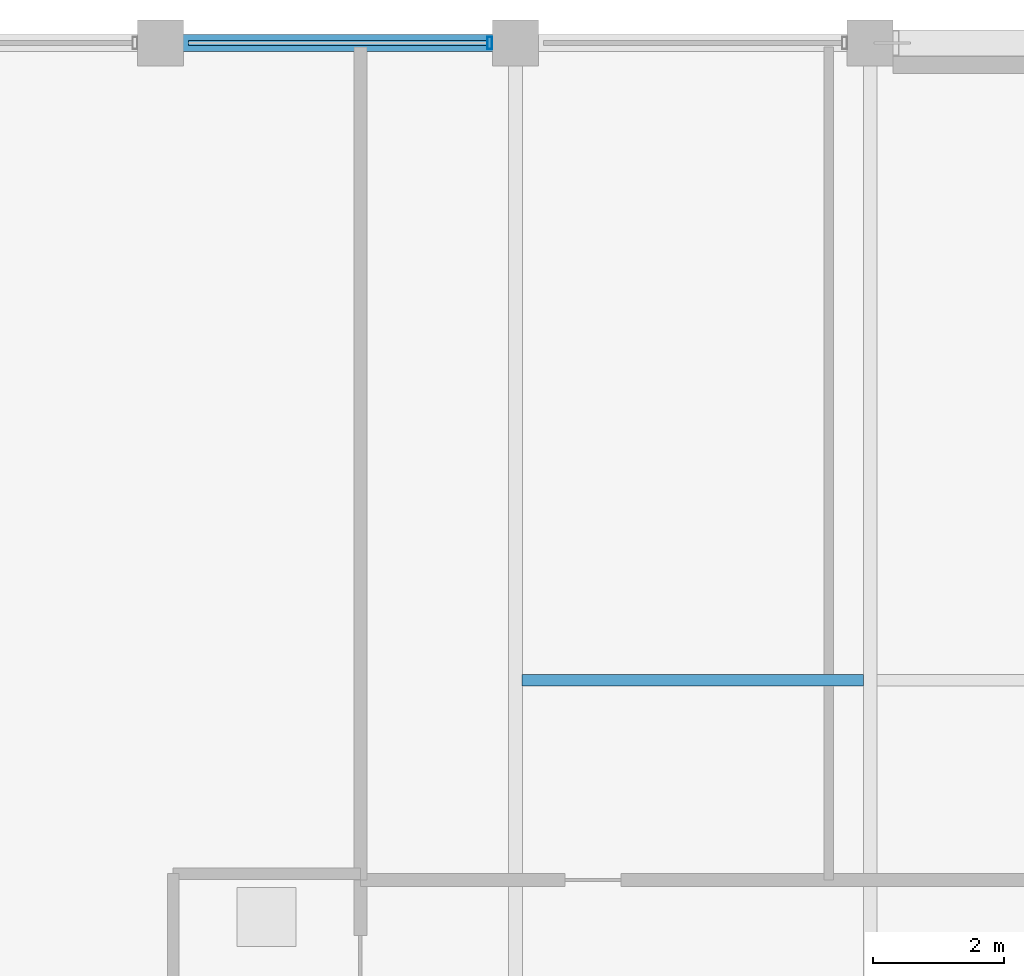
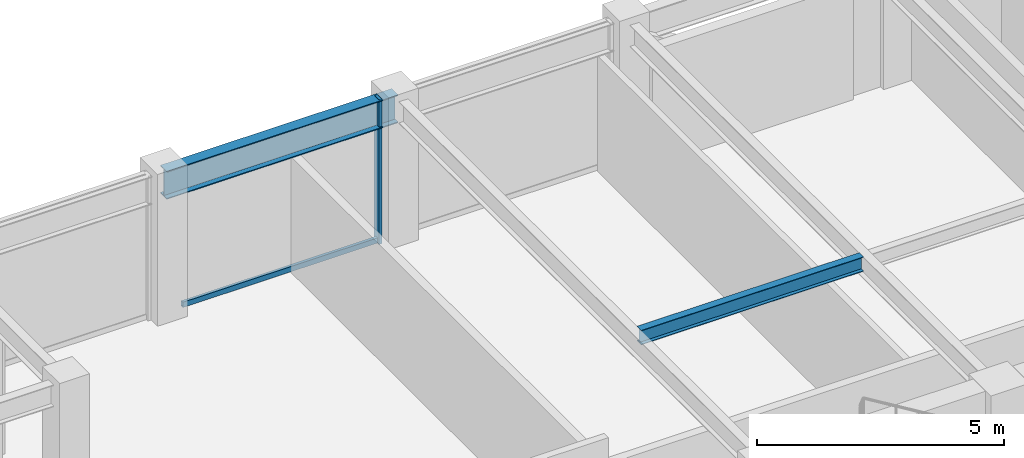
# One storey, part 17 of 30: 2 beams, 2 members, 1 element without a shape of its own.
"""IFC4 building model written with IfcOpenShell, lengths in metres."""

from ifc_helpers import new_model, si_unit, direction, frame, origin, origin_2d, place, context, subcontext, project, spatial, hollow_rectangle, i_section, extrude, material, layer, layer_set, material_profile, profile_set, type_object, element, aggregate, save


model = new_model("IFC4")

# Units and contexts
model_context = context("Model", 3, precision=1e-05, world=origin(), true_north=direction((0.0, 1.0)))
body_context = subcontext(model_context, "Body", "Model", "MODEL_VIEW")
ifc_project = project(units=[si_unit("LENGTHUNIT", "METRE"), si_unit("AREAUNIT", "SQUARE_METRE"), si_unit("VOLUMEUNIT", "CUBIC_METRE"), si_unit("PLANEANGLEUNIT", "RADIAN"), si_unit("MASSUNIT", "GRAM", prefix="KILO")], contexts=[model_context])

# Site, building, storey
site_placement = place(None, origin())
site = spatial("IfcSite", under=ifc_project, at=site_placement, CompositionType="ELEMENT")
building_placement = place(site_placement, origin())
building = spatial("IfcBuilding", under=site, at=building_placement, Name="Surkhivell Harbour Commons", CompositionType="ELEMENT")
storey_placement = place(building_placement, frame((0.0, 0.0, 300.0)))
storey = spatial("IfcBuildingStorey", under=building, at=storey_placement, Name="L78", CompositionType="ELEMENT", Elevation=300.0)

# Beams
ifc_material_1 = material(Name="Steel S355", Category="steel")
ifc_material_profile_1 = material_profile(ifc_material_1, i_section(OverallWidth=0.172119140625, OverallDepth=0.35791015625, WebThickness=0.008056640625, FlangeThickness=0.012939453125, at=origin_2d()), Name="UB356x171x57")
ifc_profile_set_1 = profile_set([ifc_material_profile_1], Name="Steel S355")
beam_type_1 = type_object("IfcBeamType", Name="BM-JST-356", PredefinedType="JOIST", material=ifc_profile_set_1)
beam_1_placement = place(storey_placement, frame((-10.697021484375, 16.199951171875, 3.39111328125), z_axis=(1.0, 0.0, 0.0), x_axis=(0.0, 1.0, 0.0)))
element("IfcBeam", 1, at=beam_1_placement, inside=storey, type_object=beam_type_1, Name="L78 North Composite Joist (-10.8)", PredefinedType="JOIST", context=body_context, shape_type="SweptSolid", body=[
    extrude(i_section(OverallWidth=0.172119140625, OverallDepth=0.35791015625, WebThickness=0.008056640625, FlangeThickness=0.012939453125, at=origin_2d()), origin(), (0.0, 0.0, 1.0), 5.194091796875),
])
ifc_material_profile_2 = material_profile(ifc_material_1, i_section(OverallWidth=0.256103515625, OverallDepth=0.693115234375, WebThickness=0.014404296875, FlangeThickness=0.023681640625, at=origin_2d()), Name="UB686x254x170")
ifc_profile_set_2 = profile_set([ifc_material_profile_2], Name="Steel S355")
beam_type_2 = type_object("IfcBeamType", Name="BM-SPN-686", PredefinedType="SPANDREL", material=ifc_profile_set_2)
beam_2_placement = place(storey_placement, frame((-16.199951171875, 25.89990234375, 3.223388671875), z_axis=(1.0, 0.0, 0.0), x_axis=(0.0, 1.0, 0.0)))
element("IfcBeam", 2, at=beam_2_placement, inside=storey, type_object=beam_type_2, Name="L78 Tube Spandrel (-16.2,25.9)", PredefinedType="SPANDREL", context=body_context, shape_type="SweptSolid", body=[
    extrude(i_section(OverallWidth=0.256103515625, OverallDepth=0.693115234375, WebThickness=0.014404296875, FlangeThickness=0.023681640625, at=origin_2d()), origin(), (0.0, 0.0, 1.0), 5.39990234375),
])

# Curtain wall, members
ifc_material_2 = material(Name="Anodised pale-metal aluminium and insulated glazing", Category="aluminium")
ifc_layer = layer(ifc_material_2, 0.175048828125)
ifc_layer_set = layer_set([ifc_layer], Name="Anodised pale-metal aluminium and insulated glazing")
curtain_wall_type = type_object("IfcCurtainWallType", Name="CW-SYS-Z4", PredefinedType="NOTDEFINED", material=ifc_layer_set)
curtain_wall_placement = place(storey_placement, origin())
curtain_wall = element("IfcCurtainWall", 3, at=curtain_wall_placement, inside=storey, type_object=curtain_wall_type, Name="L78 Curtain Wall CW-L78-E07S2", PredefinedType="NOTDEFINED")
ifc_material_3 = material(Name="Anodised pale-metal aluminium alloy 6063-T6", Category="aluminium")
ifc_material_profile_3 = material_profile(ifc_material_3, hollow_rectangle(XDim=0.074951171875, YDim=0.18994140625, WallThickness=0.00390625, at=origin_2d()), Name="ALU-MULL-75x190")
ifc_profile_set_3 = profile_set([ifc_material_profile_3], Name="Anodised pale-metal aluminium alloy 6063-T6")
member_type_1 = type_object("IfcMemberType", Name="CWM-190", PredefinedType="MULLION", material=ifc_profile_set_3)
member_1_placement = place(storey_placement, frame((-11.189453125, 25.89990234375, 0.0), z_axis=(0.0, 0.0, 1.0), x_axis=(-1.0, 0.0, 0.0)))
member_1 = element("IfcMember", 4, at=member_1_placement, type_object=member_type_1, Name="CW-Z4 mullion 2", PredefinedType="MULLION", context=body_context, shape_type="SweptSolid", body=[
    extrude(hollow_rectangle(XDim=0.074951171875, YDim=0.18994140625, WallThickness=0.00390625, at=origin_2d()), origin(), (0.0, 0.0, 1.0), 3.570068359375),
])
ifc_material_4 = material(Name="Champagne anodised aluminium alloy 6063-T6", Category="aluminium")
ifc_material_profile_4 = material_profile(ifc_material_4, hollow_rectangle(XDim=0.070068359375, YDim=0.1298828125, WallThickness=0.00341796875, at=origin_2d()), Name="ALU-TRAN-70x130")
ifc_profile_set_4 = profile_set([ifc_material_profile_4], Name="Champagne anodised aluminium alloy 6063-T6")
member_type_2 = type_object("IfcMemberType", Name="CWT-130", PredefinedType="USERDEFINED", material=ifc_profile_set_4)
member_2_placement = place(storey_placement, frame((-11.22705078125, 25.89990234375, 0.06494140625), z_axis=(-1.0, 0.0, 0.0), x_axis=(0.0, -1.0, 0.0)))
member_2 = element("IfcMember", 5, at=member_2_placement, type_object=member_type_2, Name="CW-Z4 transom 2.1", ObjectType="TRANSOM", PredefinedType="USERDEFINED", context=body_context, shape_type="SweptSolid", body=[
    extrude(hollow_rectangle(XDim=0.070068359375, YDim=0.1298828125, WallThickness=0.00341796875, at=origin_2d()), origin(), (0.0, 0.0, 1.0), 4.5458984375),
])
aggregate(curtain_wall, [member_1, member_2])

save(model, "model.ifc")
